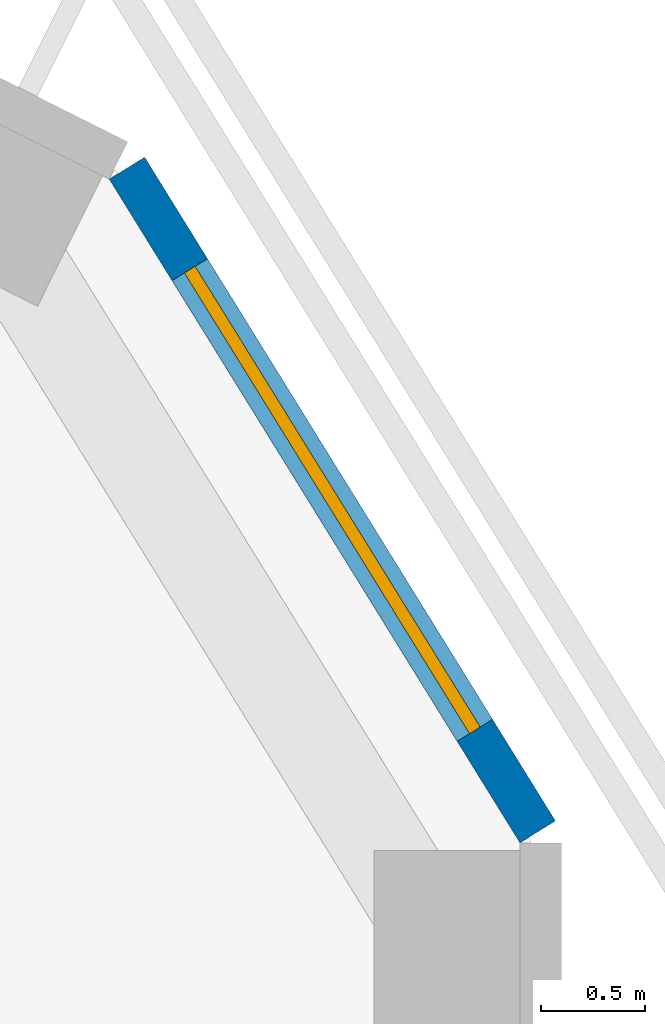
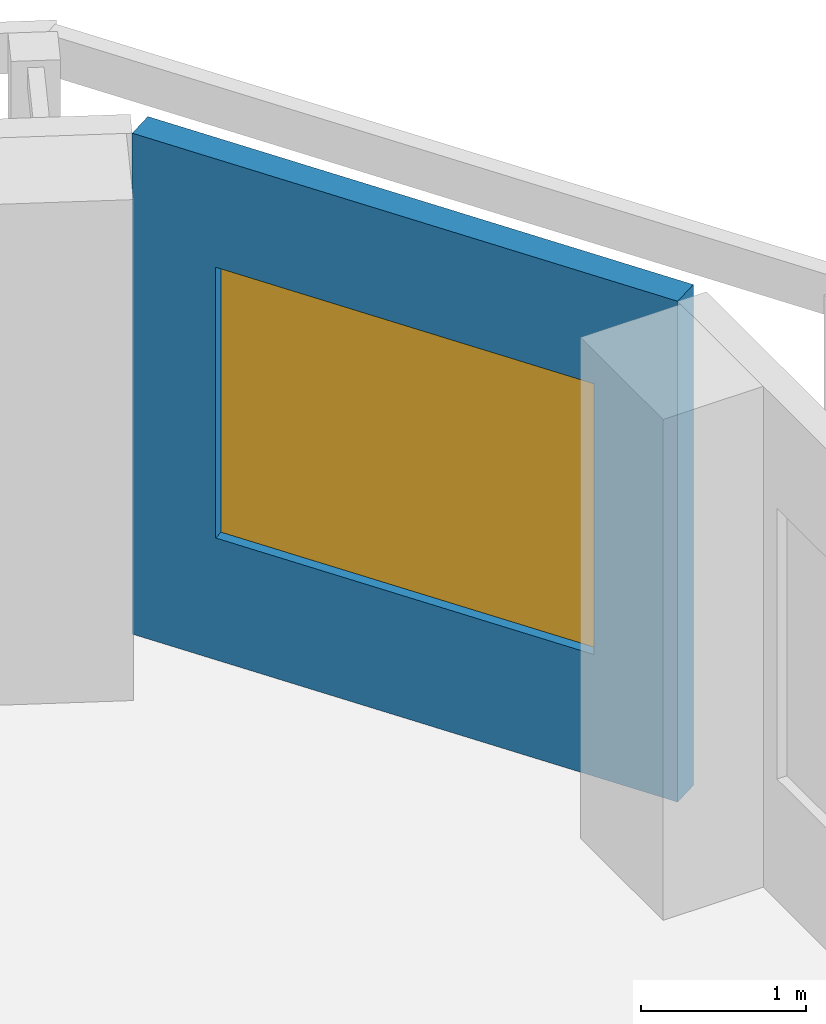
# One storey, part 8 of 11: 1 wall, 1 window, 1 opening.
"""IFC4 building model written with IfcOpenShell, lengths in metres."""

import ifcopenshell
import ifcopenshell.guid

model = None  # the IFC model being written
_history = None  # IfcOwnerHistory: only IFC2X3 demands one
_inside = {}  # id of a spatial element -> (the spatial element, [elements in it])
_under = {}  # id of a project, library or spatial element -> (it, [spatial elements below it])
_declared = {}  # id of a project -> (the project, [libraries it declares])
_typed = {}  # id of a type object -> (the type object, [elements of that type])
_made_of = {}  # id of a material, layer set ... -> (it, [elements and type objects made of it])


def new_model(schema):
    """Start an empty IFC model of exactly this schema.

    Asked for "IFC4X3", IfcOpenShell would pick the latest addendum, in which some entities
    have other attributes; the version numbers below select the first issue.
    IFC2X3 requires an IfcOwnerHistory on every rooted entity: one is made here for all.
    """
    global model, _history
    if schema == "IFC4X3":
        model = ifcopenshell.file(schema_version=(4, 3, 0, 0))
    else:
        model = ifcopenshell.file(schema=schema)
    _inside.clear()
    _under.clear()
    _declared.clear()
    _typed.clear()
    _made_of.clear()
    _history = None
    if model.schema == "IFC2X3":
        org = make("IfcOrganization", Name="unknown")
        user = make(
            "IfcPersonAndOrganization",
            ThePerson=make("IfcPerson", FamilyName="unknown"),
            TheOrganization=org,
        )
        app = make(
            "IfcApplication",
            ApplicationDeveloper=org,
            Version="unknown",
            ApplicationFullName="unknown",
            ApplicationIdentifier="unknown",
        )
        _history = make(
            "IfcOwnerHistory",
            OwningUser=user,
            OwningApplication=app,
            ChangeAction="ADDED",
            CreationDate=0,
        )
    return model


def make(cls, **values):
    """One entity of the class cls with the attributes given. An attribute that is None is left unset."""
    return model.create_entity(
        cls, **{name: value for name, value in values.items() if value is not None}
    )


def rooted(cls, **values):
    """An entity with a GlobalId (a new one), such as an element, a storey or a relation."""
    return make(cls, GlobalId=ifcopenshell.guid.new(), OwnerHistory=_history, **values)


def si_unit(unit_type, name, prefix=None):
    """IfcSIUnit, for example si_unit("LENGTHUNIT", "METRE", prefix="MILLI")."""
    return make("IfcSIUnit", UnitType=unit_type, Prefix=prefix, Name=name)


def assignment(units):
    """IfcUnitAssignment: the units of a project."""
    return None if units is None else make("IfcUnitAssignment", Units=units)


def point(xyz):
    """IfcCartesianPoint."""
    return None if xyz is None else make("IfcCartesianPoint", Coordinates=xyz)


def direction(xyz):
    """IfcDirection."""
    return None if xyz is None else make("IfcDirection", DirectionRatios=xyz)


def frame(location, z_axis=None, x_axis=None):
    """IfcAxis2Placement3D, a coordinate frame: its origin and axes. An axis left out is left unset."""
    return make(
        "IfcAxis2Placement3D",
        Location=point(location),
        Axis=direction(z_axis),
        RefDirection=direction(x_axis),
    )


def frame_2d(location, x_axis=None):
    """IfcAxis2Placement2D, a coordinate frame in the plane: its origin and x axis."""
    return make(
        "IfcAxis2Placement2D", Location=point(location), RefDirection=direction(x_axis)
    )


def origin():
    """The frame at (0, 0, 0) with its axes left unset."""
    return frame((0.0, 0.0, 0.0))


def place(relative_to, where):
    """IfcLocalPlacement: puts the frame where relative to a parent placement (None: the world)."""
    return make(
        "IfcLocalPlacement", PlacementRelTo=relative_to, RelativePlacement=where
    )


def context(
    kind, dimensions, precision=None, world=None, true_north=None, identifier=None
):
    """IfcGeometricRepresentationContext, for example the 3D "Model" context."""
    return make(
        "IfcGeometricRepresentationContext",
        ContextIdentifier=identifier,
        ContextType=kind,
        CoordinateSpaceDimension=dimensions,
        Precision=precision,
        WorldCoordinateSystem=world,
        TrueNorth=true_north,
    )


def subcontext(parent, identifier, kind, view, scale=None):
    """IfcGeometricRepresentationSubContext, for example "Body" below "Model"."""
    return make(
        "IfcGeometricRepresentationSubContext",
        ContextIdentifier=identifier,
        ContextType=kind,
        ParentContext=parent,
        TargetScale=scale,
        TargetView=view,
    )


def project(units=None, contexts=None):
    """IfcProject with its units and contexts."""
    return rooted(
        "IfcProject",
        Name="project",
        RepresentationContexts=contexts,
        UnitsInContext=assignment(units),
    )


def spatial(cls, under=None, at=None, **own):
    """A site, building, storey or space (cls), placed at a placement, below another one or the project."""
    s = rooted(cls, ObjectPlacement=at, **own)
    if under is not None:
        _under.setdefault(under.id(), (under, []))[1].append(s)
    return s


def profile(cls, at=None, kind="AREA", **sizes):
    """A parametric profile (cls). Its sizes go by their IFC names, for example OverallWidth=200.0."""
    return make(cls, ProfileType=kind, Position=at, **sizes)


def rectangle(**sizes):
    """IfcRectangleProfileDef."""
    return profile("IfcRectangleProfileDef", **sizes)


def extrude(swept, where, along, depth):
    """IfcExtrudedAreaSolid: the profile swept, set in the frame where, extruded along a direction by depth."""
    return make(
        "IfcExtrudedAreaSolid",
        SweptArea=swept,
        Position=where,
        ExtrudedDirection=direction(along),
        Depth=depth,
    )


def shape(context_of_items, identifier, shape_type, items):
    """IfcShapeRepresentation: the items that make up one representation, for example the "Body"."""
    return make(
        "IfcShapeRepresentation",
        ContextOfItems=context_of_items,
        RepresentationIdentifier=identifier,
        RepresentationType=shape_type,
        Items=items,
    )


def material(Name=None, Category=None):
    """IfcMaterial."""
    return make("IfcMaterial", Name=Name, Category=Category)


def layer(
    of_material, thickness, ventilated=None, Name=None, Category=None, Priority=None
):
    """IfcMaterialLayer: one layer of a wall or slab, of a material (None: an air gap)."""
    return make(
        "IfcMaterialLayer",
        Material=of_material,
        LayerThickness=thickness,
        IsVentilated=ventilated,
        Name=Name,
        Category=Category,
        Priority=Priority,
    )


def layer_set(layers, Name=None):
    """IfcMaterialLayerSet."""
    return make("IfcMaterialLayerSet", MaterialLayers=layers, LayerSetName=Name)


def made_of(thing, what):
    """Note that an element or type object is made of a material, layer set ...; save() writes the relation."""
    if what is not None:
        _made_of.setdefault(what.id(), (what, []))[1].append(thing)
    return thing


def type_object(cls, material=None, **own):
    """A type object (cls), such as IfcWallType, which elements share."""
    return made_of(rooted(cls, **own), material)


def element(
    cls,
    number,
    at=None,
    inside=None,
    cuts=None,
    type_object=None,
    material=None,
    context=None,
    identifier="Body",
    shape_type=None,
    held_by="IfcProductDefinitionShape",
    body=None,
    shapes=None,
    **own,
):
    """One element of the class cls, such as IfcWall. Its Tag is "e" and its number.

    at: its placement. inside: the storey or other place that contains it. cuts: it is an
    opening in that element (IfcRelVoidsElement). A single representation is given by context,
    identifier, shape_type and body (its items); several are given by shapes. held_by: the class
    of the entity that holds the representations. save() writes the other relations.
    """
    e = rooted(cls, Tag="e%d" % number, ObjectPlacement=at, **own)
    if body is not None:
        shapes = [shape(context, identifier, shape_type, body)]
    if shapes is not None:
        e.Representation = make(held_by, Representations=shapes)
    if inside is not None:
        _inside.setdefault(inside.id(), (inside, []))[1].append(e)
    if cuts is not None:
        rooted(
            "IfcRelVoidsElement", RelatingBuildingElement=cuts, RelatedOpeningElement=e
        )
    if type_object is not None:
        _typed.setdefault(type_object.id(), (type_object, []))[1].append(e)
    return made_of(e, material)


def fill(opening, filler):
    """IfcRelFillsElement: the door or window that sits in an opening."""
    return rooted(
        "IfcRelFillsElement",
        RelatingOpeningElement=opening,
        RelatedBuildingElement=filler,
    )


def aggregate(whole, parts):
    """IfcRelAggregates: a whole, such as a stair, and the parts it consists of."""
    return rooted("IfcRelAggregates", RelatingObject=whole, RelatedObjects=parts)


def save(model, path):
    """Write the relations noted so far, then the file.

    IfcRelAggregates (storeys below a building ...), IfcRelContainedInSpatialStructure (elements
    in a storey), IfcRelDefinesByType, IfcRelAssociatesMaterial and IfcRelDeclares: one each for
    every whole, place, type object, material and project.
    """
    for whole, parts in _under.values():
        aggregate(whole, parts)
    for where, things in _inside.values():
        rooted(
            "IfcRelContainedInSpatialStructure",
            RelatedElements=things,
            RelatingStructure=where,
        )
    for kind, things in _typed.values():
        rooted("IfcRelDefinesByType", RelatedObjects=things, RelatingType=kind)
    for what, things in _made_of.values():
        rooted("IfcRelAssociatesMaterial", RelatedObjects=things, RelatingMaterial=what)
    for by, libraries in _declared.values():
        rooted("IfcRelDeclares", RelatingContext=by, RelatedDefinitions=libraries)
    model.write(path)


model = new_model("IFC4")

# Units and contexts
model_context = context("Model", 3, precision=1e-05, world=origin(), true_north=direction((0.0, 1.0)))
body_context = subcontext(model_context, "Body", "Model", "MODEL_VIEW")
ifc_project = project(units=[si_unit("LENGTHUNIT", "METRE"), si_unit("AREAUNIT", "SQUARE_METRE"), si_unit("VOLUMEUNIT", "CUBIC_METRE"), si_unit("PLANEANGLEUNIT", "RADIAN"), si_unit("MASSUNIT", "GRAM", prefix="KILO")], contexts=[model_context])

# Site, building, storey
site_placement = place(None, origin())
site = spatial("IfcSite", under=ifc_project, at=site_placement, CompositionType="ELEMENT")
building_placement = place(site_placement, origin())
building = spatial("IfcBuilding", under=site, at=building_placement, Name="Vanh Sen Convention Tower", CompositionType="ELEMENT")
storey_placement = place(building_placement, frame((0.0, 0.0, 289.39990234375)))
storey = spatial("IfcBuildingStorey", under=building, at=storey_placement, Name="L71", CompositionType="ELEMENT", Elevation=289.39990234375)

# Wall, opening, window
ifc_material_1 = material(Name="Insulated lightweight infill wall")
ifc_layer = layer(ifc_material_1, 0.199951171875)
ifc_layer_set = layer_set([ifc_layer], Name="Insulated lightweight infill wall")
wall_type = type_object("IfcWallType", Name="External wall 200", PredefinedType="STANDARD", material=ifc_layer_set)
wall_placement = place(storey_placement, frame((19.235107421875, 9.699951171875, 0.0), z_axis=(0.0, 0.0, 1.0), x_axis=(-0.526233475464, 0.850340125656, 0.0)))
wall = element("IfcWall", 1, at=wall_placement, inside=storey, type_object=wall_type, Name="External wall CH1 L71", PredefinedType="STANDARD", context=body_context, shape_type="SweptSolid", body=[
    extrude(rectangle(XDim=3.746826171875, YDim=0.199951171875, at=frame_2d((1.87353515625, 0.0))), origin(), (0.0, 0.0, 1.0), 3.7001953125),
])
opening_placement = place(wall_placement, frame((0.573486328125, 0.0, 0.89990234375)))
opening = element("IfcOpeningElement", 2, at=opening_placement, cuts=wall, Name="Opening WO6-CH11", PredefinedType="OPENING", context=body_context, shape_type="SweptSolid", body=[
    extrude(rectangle(XDim=2.60009765625, YDim=2.0, at=frame_2d((1.300048828125, 1.0))), frame((0.0, 0.10986328125, 0.0), z_axis=(0.0, -1.0, 0.0), x_axis=(1.0, 0.0, 0.0)), (0.0, 0.0, 1.0), 0.219970703125),
])
ifc_material_2 = material(Name="Aluminium frame with clear low-emissivity glass", Category="aluminium")
window_type = type_object("IfcWindowType", Name="Office window 2600 x 2000", PartitioningType="SINGLE_PANEL", PredefinedType="WINDOW", material=ifc_material_2)
window_placement = place(opening_placement, origin())
window = element("IfcWindow", 3, at=window_placement, inside=storey, type_object=window_type, Name="Window WO6-CH11", OverallHeight=2.0, OverallWidth=2.60009765625, PartitioningType="SINGLE_PANEL", PredefinedType="WINDOW", context=body_context, shape_type="SweptSolid", body=[
    extrude(rectangle(XDim=2.60009765625, YDim=2.0, at=frame_2d((1.300048828125, 1.0))), frame((0.0, 0.030029296875, 0.0), z_axis=(0.0, -1.0, 0.0), x_axis=(1.0, 0.0, 0.0)), (0.0, 0.0, 1.0), 0.06005859375),
])
fill(opening, window)

save(model, "model.ifc")
